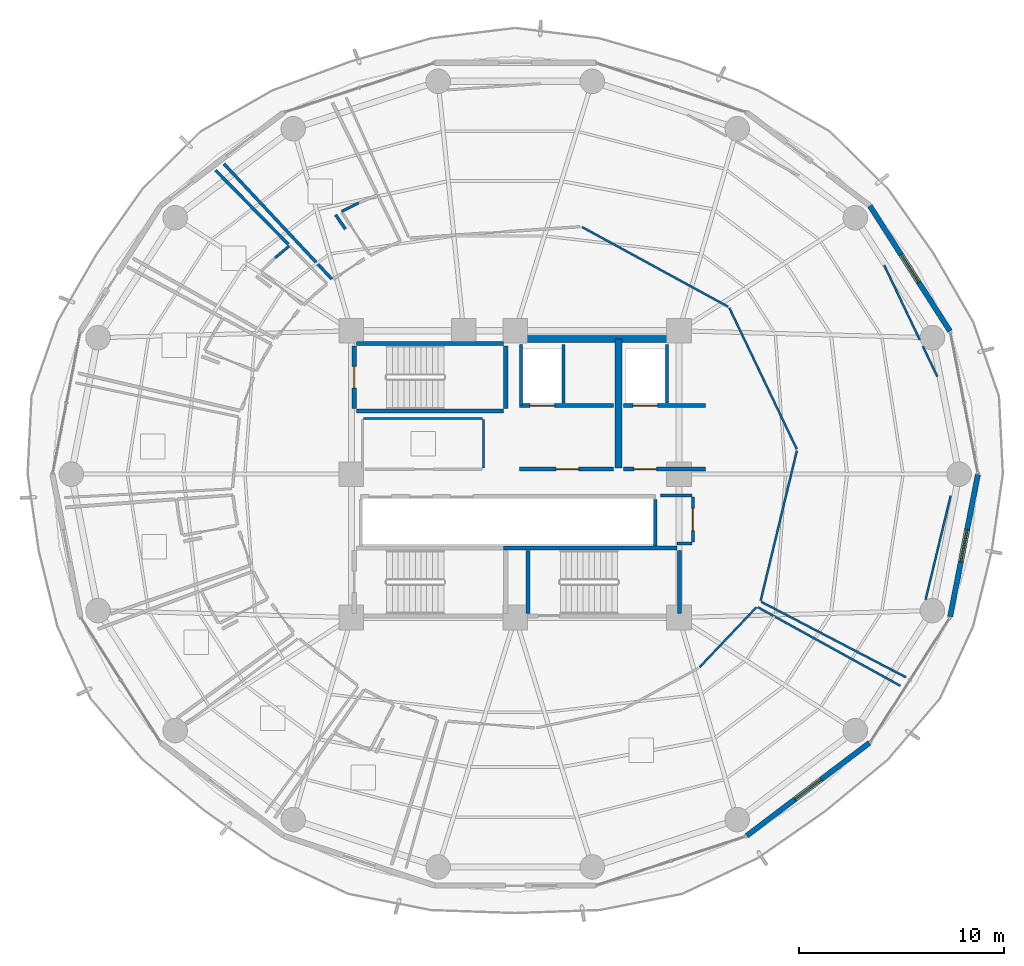
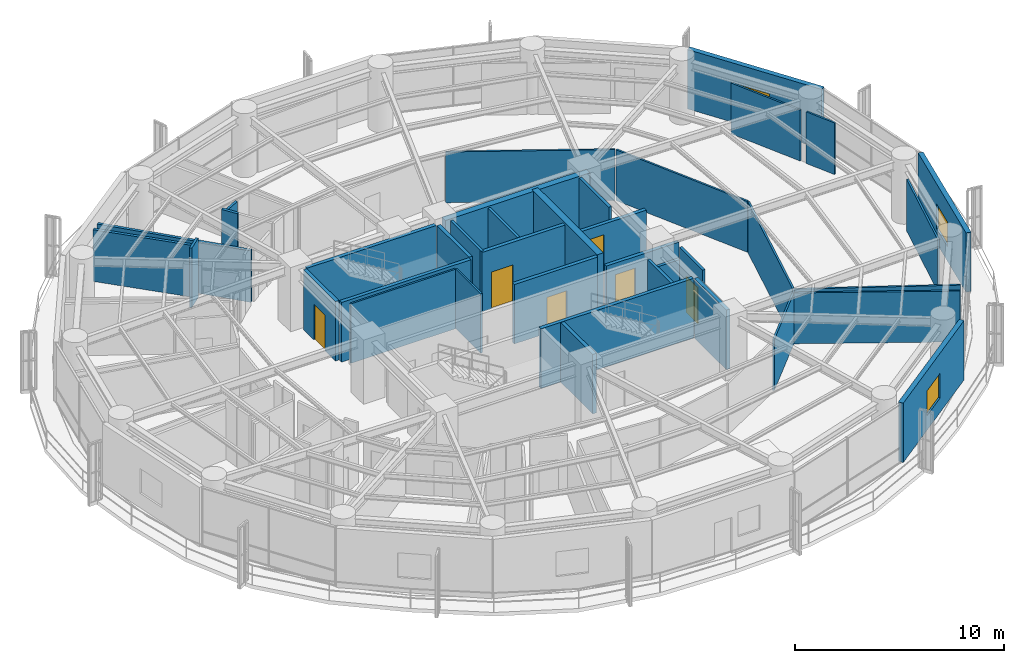
# One storey, part 23 of 27: 39 walls, 6 doors, 3 windows, 9 openings.
"""IFC4 building model written with IfcOpenShell, lengths in metres."""

from ifc_helpers import new_model, si_unit, direction, frame, frame_2d, origin, place, context, subcontext, project, spatial, rectangle, extrude, material, layer, layer_set, type_object, element, fill, save


model = new_model("IFC4")

# Units and contexts
model_context = context("Model", 3, precision=1e-05, world=origin(), true_north=direction((0.0, 1.0)))
body_context = subcontext(model_context, "Body", "Model", "MODEL_VIEW")
ifc_project = project(units=[si_unit("LENGTHUNIT", "METRE"), si_unit("AREAUNIT", "SQUARE_METRE"), si_unit("VOLUMEUNIT", "CUBIC_METRE"), si_unit("PLANEANGLEUNIT", "RADIAN"), si_unit("MASSUNIT", "GRAM", prefix="KILO")], contexts=[model_context])

# Site, building, storey
site_placement = place(None, origin())
site = spatial("IfcSite", under=ifc_project, at=site_placement, CompositionType="ELEMENT")
building_placement = place(site_placement, origin())
building = spatial("IfcBuilding", under=site, at=building_placement, Name="Kelanora Arch Commons", CompositionType="ELEMENT")
storey_placement = place(building_placement, frame((0.0, 0.0, 143.10009765625)))
storey = spatial("IfcBuildingStorey", under=building, at=storey_placement, Name="L36", CompositionType="ELEMENT", Elevation=143.10009765625)

# Walls
ifc_material_1 = material(Name="Autoclaved aerated concrete blockwork with fire plaster", Category="masonry")
ifc_layer_1 = layer(ifc_material_1, 0.14990234375)
ifc_layer_set_1 = layer_set([ifc_layer_1], Name="Autoclaved aerated concrete blockwork with fire plaster")
wall_type_1 = type_object("IfcWallType", Name="W-COMP-150", PredefinedType="PARTITIONING", material=ifc_layer_set_1)
wall_1_placement = place(storey_placement, frame((74.280029296875, 61.35009765625, 0.0), z_axis=(0.0, 0.0, 1.0), x_axis=(0.0, 1.0, 0.0)))
element("IfcWall", 1, at=wall_1_placement, inside=storey, type_object=wall_type_1, Name="Firefighting Lift 1 West Shaft Wall L36", PredefinedType="PARTITIONING", context=body_context, shape_type="SweptSolid", body=[
    extrude(rectangle(XDim=2.969970703125, YDim=0.14990234375, at=frame_2d((1.48486328125, 0.0))), origin(), (0.0, 0.0, 1.0), 3.47998046875),
])
for number, where, z_axis, x_axis, name in (
    (2, (76.360107421875, 61.47998046875, 0.0), (0.0, 0.0, 1.0), (0.0, 1.0, 0.0), "Firefighting Lift 1 East Shaft Wall L36"),
    (3, (81.419921875, 61.47998046875, 0.0), (0.0, 0.0, 1.0), (0.0, 1.0, 0.0), "Firefighting Lift 2 East Shaft Wall L36"),
):
    element("IfcWall", number, at=place(storey_placement, frame(where, z_axis=z_axis, x_axis=x_axis)), inside=storey, type_object=wall_type_1, Name=name, PredefinedType="PARTITIONING", context=body_context, shape_type="SweptSolid", body=[
        extrude(rectangle(XDim=2.840087890625, YDim=0.14990234375, at=frame_2d((1.419921875, 0.0))), origin(), (0.0, 0.0, 1.0), 3.47998046875),
    ])
wall_2_placement = place(storey_placement, frame((80.840087890625, 54.47998046875, 0.0), z_axis=(0.0, 0.0, 1.0), x_axis=(0.0, 1.0, 0.0)))
element("IfcWall", 4, at=wall_2_placement, inside=storey, type_object=wall_type_1, Name="South Lift Bank East Wall L36", PredefinedType="PARTITIONING", context=body_context, shape_type="SweptSolid", body=[
    extrude(rectangle(XDim=2.2900390625, YDim=0.14990234375, at=frame_2d((1.14501953125, 0.0))), origin(), (0.0, 0.0, 1.0), 3.47998046875),
])

# Wall, opening, door
wall_3_placement = place(storey_placement, frame((82.679931640625, 54.679931640625, 0.0), z_axis=(0.0, 0.0, 1.0), x_axis=(0.0, 1.0, 0.0)))
wall_3 = element("IfcWall", 5, at=wall_3_placement, inside=storey, type_object=wall_type_1, Name="Core Housekeeping Store L36 Entry Partition", PredefinedType="PARTITIONING", context=body_context, shape_type="SweptSolid", body=[
    extrude(rectangle(XDim=2.2099609375, YDim=0.14990234375, at=frame_2d((1.10498046875, 0.0))), origin(), (0.0, 0.0, 1.0), 3.47998046875),
])
opening_1_placement = place(wall_3_placement, frame((0.56494140625, 0.0, 0.0)))
opening_1 = element("IfcOpeningElement", 6, at=opening_1_placement, cuts=wall_3, Name="Opening D-PLT1", PredefinedType="OPENING", context=body_context, shape_type="SweptSolid", body=[
    extrude(rectangle(XDim=1.080078125, YDim=2.10009765625, at=frame_2d((0.5400390625, 1.050048828125))), frame((0.0, 0.0849609375, 0.0), z_axis=(0.0, -1.0, 0.0), x_axis=(1.0, 0.0, 0.0)), (0.0, 0.0, 1.0), 0.169921875),
])
ifc_material_2 = material(Name="Galvanised steel plant and riser fire door", Category="steel")
door_type_1 = type_object("IfcDoorType", Name="D-PLT-110", OperationType="NOTDEFINED", PredefinedType="DOOR", material=ifc_material_2)
door_1_placement = place(opening_1_placement, origin())
door_1 = element("IfcDoor", 7, at=door_1_placement, inside=storey, type_object=door_type_1, Name="Core Housekeeping Store L36 Door", OperationType="SINGLE_SWING_RIGHT", OverallHeight=2.10009765625, OverallWidth=1.080078125, PredefinedType="DOOR", context=body_context, shape_type="SweptSolid", body=[
    extrude(rectangle(XDim=1.080078125, YDim=2.10009765625, at=frame_2d((0.5400390625, 1.050048828125))), frame((0.0, 0.02490234375, 0.0), z_axis=(0.0, -1.0, 0.0), x_axis=(1.0, 0.0, 0.0)), (0.0, 0.0, 1.0), 0.050048828125),
])
fill(opening_1, door_1)

# Walls
wall_4_placement = place(storey_placement, frame((81.89990234375, 54.6201171875, 0.0), z_axis=(0.0, 0.0, 1.0), x_axis=(1.0, 0.0, 0.0)))
element("IfcWall", 8, at=wall_4_placement, inside=storey, type_object=wall_type_1, Name="Core Housekeeping Store L36 Enclosure Partition 1", PredefinedType="PARTITIONING", context=body_context, shape_type="SweptSolid", body=[
    extrude(rectangle(XDim=0.739990234375, YDim=0.14990234375, at=frame_2d((0.3701171875, 0.0))), origin(), (0.0, 0.0, 1.0), 2.77490234375),
])
wall_5_placement = place(storey_placement, frame((82.639892578125, 56.949951171875, 0.0), z_axis=(0.0, 0.0, 1.0), x_axis=(-1.0, 0.0, 0.0)))
element("IfcWall", 9, at=wall_5_placement, inside=storey, type_object=wall_type_1, Name="Core Housekeeping Store L36 Enclosure Partition 3", PredefinedType="PARTITIONING", context=body_context, shape_type="SweptSolid", body=[
    extrude(rectangle(XDim=1.5498046875, YDim=0.14990234375, at=frame_2d((0.77490234375, 0.0))), origin(), (0.0, 0.0, 1.0), 2.77490234375),
])
wall_6_placement = place(storey_placement, frame((65.045654296875, 67.523193359375, 0.0), z_axis=(0.0, 0.0, 1.0), x_axis=(-0.683295427563, 0.730142012674, 0.0)))
element("IfcWall", 10, at=wall_6_placement, inside=storey, type_object=wall_type_1, Name="Cluster Bedroom L36-01 Enclosure Partition 2", PredefinedType="PARTITIONING", context=body_context, shape_type="SweptSolid", body=[
    extrude(rectangle(XDim=7.712890625, YDim=0.14990234375, at=frame_2d((3.8564453125, 0.0))), origin(), (0.0, 0.0, 1.0), 3.02490234375),
])
wall_7_placement = place(storey_placement, frame((65.226806640625, 70.6669921875, 0.0), z_axis=(0.0, 0.0, 1.0), x_axis=(0.567880544382, -0.823110981164, 0.0)))
element("IfcWall", 11, at=wall_7_placement, inside=storey, type_object=wall_type_1, Name="Cluster Bedroom L36-01 Enclosure Partition 7", PredefinedType="PARTITIONING", context=body_context, shape_type="SweptSolid", body=[
    extrude(rectangle(XDim=0.850341796875, YDim=0.14990234375, at=frame_2d((0.42529296875, 0.0))), origin(), (0.0, 0.0, 1.0), 3.47998046875),
])
wall_8_placement = place(storey_placement, frame((59.368896484375, 72.83740234375, 0.0), z_axis=(0.0, 0.0, 1.0), x_axis=(0.701093902079, -0.713068959125, 0.0)))
element("IfcWall", 12, at=wall_8_placement, inside=storey, type_object=wall_type_1, Name="Cluster Bedroom L36-02 Enclosure Partition 5", PredefinedType="PARTITIONING", context=body_context, shape_type="SweptSolid", body=[
    extrude(rectangle(XDim=5.076416015625, YDim=0.14990234375, at=frame_2d((2.5380859375, 0.0))), origin(), (0.0, 0.0, 1.0), 3.02490234375),
])
ifc_material_3 = material(Name="Concrete C50/60", Category="concrete")
ifc_layer_2 = layer(ifc_material_3, 0.35009765625)
ifc_layer_set_2 = layer_set([ifc_layer_2], Name="Concrete C50/60")
wall_type_2 = type_object("IfcWallType", Name="W-CORE-350", PredefinedType="SHEAR", material=ifc_layer_set_2)
wall_9_placement = place(storey_placement, frame((74.0, 64.60009765625, 0.0), z_axis=(0.0, 0.0, 1.0), x_axis=(1.0, 0.0, 0.0)))
element("IfcWall", 13, at=wall_9_placement, inside=storey, type_object=wall_type_2, Name="Core Shear Spine L36-CN-E", PredefinedType="SHEAR", context=body_context, shape_type="SweptSolid", body=[
    extrude(rectangle(XDim=8.0, YDim=0.35009765625, at=frame_2d((4.0, 0.0))), origin(), (0.0, 0.0, 1.0), 3.489990234375),
])
wall_10_placement = place(storey_placement, frame((79.050048828125, 58.300048828125, 0.0), z_axis=(0.0, 0.0, 1.0), x_axis=(0.0, 1.0, 0.0)))
element("IfcWall", 14, at=wall_10_placement, inside=storey, type_object=wall_type_2, Name="Core Shear Spine L36-CE-N", PredefinedType="SHEAR", context=body_context, shape_type="SweptSolid", body=[
    extrude(rectangle(XDim=6.300048828125, YDim=0.35009765625, at=frame_2d((3.14990234375, 0.0))), origin(), (0.0, 0.0, 1.0), 3.489990234375),
])

# Wall, opening, window
ifc_material_4 = material(Name="Precast concrete C40/50 with terracotta rainscreen", Category="masonry")
ifc_layer_3 = layer(ifc_material_4, 0.260009765625)
ifc_layer_set_3 = layer_set([ifc_layer_3], Name="Precast concrete C40/50 with terracotta rainscreen")
wall_type_3 = type_object("IfcWallType", Name="W-EXT-TC", PredefinedType="SOLIDWALL", material=ifc_layer_set_3)
wall_11_placement = place(storey_placement, frame((95.22900390625, 64.98974609375, 0.0), z_axis=(0.0, 0.0, 1.0), x_axis=(-0.538801521808, 0.842432739213, 0.0)))
wall_11 = element("IfcWall", 15, at=wall_11_placement, inside=storey, type_object=wall_type_3, Name="Terracotta Exterior Wall L36-B01", PredefinedType="SOLIDWALL", context=body_context, shape_type="SweptSolid", body=[
    extrude(rectangle(XDim=7.25341796875, YDim=0.260009765625, at=frame_2d((3.626708984375, 0.0))), origin(), (0.0, 0.0, 1.0), 3.474853515625),
])
opening_2_placement = place(wall_11_placement, frame((2.826904296875, 0.0, 0.85009765625)))
opening_2 = element("IfcOpeningElement", 16, at=opening_2_placement, cuts=wall_11, Name="Opening WN-01", PredefinedType="OPENING", context=body_context, shape_type="SweptSolid", body=[
    extrude(rectangle(XDim=1.60009765625, YDim=1.449951171875, at=frame_2d((0.800048828125, 0.72509765625))), frame((0.0, 0.14013671875, 0.0), z_axis=(0.0, -1.0, 0.0), x_axis=(1.0, 0.0, 0.0)), (0.0, 0.0, 1.0), 0.280029296875),
])
ifc_material_5 = material(Name="Terracotta-anodised aluminium frame with operable low-E glazing", Category="masonry")
window_type = type_object("IfcWindowType", Name="WIN-CL-18", PartitioningType="DOUBLE_PANEL_VERTICAL", PredefinedType="WINDOW", material=ifc_material_5)
window_1_placement = place(opening_2_placement, origin())
window_1 = element("IfcWindow", 17, at=window_1_placement, inside=storey, type_object=window_type, Name="Co-Living Operable Window L36-B01", OverallHeight=1.449951171875, OverallWidth=1.60009765625, PartitioningType="SINGLE_PANEL", PredefinedType="WINDOW", context=body_context, shape_type="SweptSolid", body=[
    extrude(rectangle(XDim=1.60009765625, YDim=1.449951171875, at=frame_2d((0.800048828125, 0.72509765625))), frame((0.0, 0.030029296875, 0.0), z_axis=(0.0, -1.0, 0.0), x_axis=(1.0, 0.0, 0.0)), (0.0, 0.0, 1.0), 0.06005859375),
])
fill(opening_2, window_1)

wall_12_placement = place(storey_placement, frame((85.31201171875, 40.34228515625, 0.0), z_axis=(0.0, 0.0, 1.0), x_axis=(0.797163719609, 0.603763202042, 0.0)))
wall_12 = element("IfcWall", 18, at=wall_12_placement, inside=storey, type_object=wall_type_3, Name="Terracotta Exterior Wall L36-B15", PredefinedType="SOLIDWALL", context=body_context, shape_type="SweptSolid", body=[
    extrude(rectangle(XDim=7.51220703125, YDim=0.260009765625, at=frame_2d((3.756103515625, 0.0))), origin(), (0.0, 0.0, 1.0), 3.474853515625),
])
opening_3_placement = place(wall_12_placement, frame((2.9560546875, 0.0, 0.85009765625)))
opening_3 = element("IfcOpeningElement", 19, at=opening_3_placement, cuts=wall_12, Name="Opening WN-01", PredefinedType="OPENING", context=body_context, shape_type="SweptSolid", body=[
    extrude(rectangle(XDim=1.60009765625, YDim=1.449951171875, at=frame_2d((0.800048828125, 0.72509765625))), frame((0.0, 0.14013671875, 0.0), z_axis=(0.0, -1.0, 0.0), x_axis=(1.0, 0.0, 0.0)), (0.0, 0.0, 1.0), 0.280029296875),
])
window_2_placement = place(opening_3_placement, origin())
window_2 = element("IfcWindow", 20, at=window_2_placement, inside=storey, type_object=window_type, Name="Co-Living Operable Window L36-B15", OverallHeight=1.449951171875, OverallWidth=1.60009765625, PartitioningType="SINGLE_PANEL", PredefinedType="WINDOW", context=body_context, shape_type="SweptSolid", body=[
    extrude(rectangle(XDim=1.60009765625, YDim=1.449951171875, at=frame_2d((0.800048828125, 0.72509765625))), frame((0.0, 0.030029296875, 0.0), z_axis=(0.0, -1.0, 0.0), x_axis=(1.0, 0.0, 0.0)), (0.0, 0.0, 1.0), 0.06005859375),
])
fill(opening_3, window_2)

wall_13_placement = place(storey_placement, frame((95.239990234375, 51.03759765625, 0.0), z_axis=(0.0, 0.0, 1.0), x_axis=(0.191716984769, 0.981450252306, 0.0)))
wall_13 = element("IfcWall", 21, at=wall_13_placement, inside=storey, type_object=wall_type_3, Name="Terracotta Exterior Wall L36-B17", PredefinedType="SOLIDWALL", context=body_context, shape_type="SweptSolid", body=[
    extrude(rectangle(XDim=7.0791015625, YDim=0.260009765625, at=frame_2d((3.53955078125, 0.0))), origin(), (0.0, 0.0, 1.0), 3.474853515625),
])
opening_4_placement = place(wall_13_placement, frame((2.739990234375, 0.0, 0.85009765625)))
opening_4 = element("IfcOpeningElement", 22, at=opening_4_placement, cuts=wall_13, Name="Opening WN-01", PredefinedType="OPENING", context=body_context, shape_type="SweptSolid", body=[
    extrude(rectangle(XDim=1.60009765625, YDim=1.449951171875, at=frame_2d((0.800048828125, 0.72509765625))), frame((0.0, 0.14013671875, 0.0), z_axis=(0.0, -1.0, 0.0), x_axis=(1.0, 0.0, 0.0)), (0.0, 0.0, 1.0), 0.280029296875),
])
window_3_placement = place(opening_4_placement, origin())
window_3 = element("IfcWindow", 23, at=window_3_placement, inside=storey, type_object=window_type, Name="Co-Living Operable Window L36-B17", OverallHeight=1.449951171875, OverallWidth=1.60009765625, PartitioningType="SINGLE_PANEL", PredefinedType="WINDOW", context=body_context, shape_type="SweptSolid", body=[
    extrude(rectangle(XDim=1.60009765625, YDim=1.449951171875, at=frame_2d((0.800048828125, 0.72509765625))), frame((0.0, 0.030029296875, 0.0), z_axis=(0.0, -1.0, 0.0), x_axis=(1.0, 0.0, 0.0)), (0.0, 0.0, 1.0), 0.06005859375),
])
fill(opening_4, window_3)

# Wall, opening, door
ifc_material_6 = material(Name="Concrete C40/50", Category="concrete")
ifc_layer_4 = layer(ifc_material_6, 0.199951171875)
ifc_layer_set_4 = layer_set([ifc_layer_4], Name="Concrete C40/50")
wall_type_4 = type_object("IfcWallType", Name="W-FFL-200", PredefinedType="SOLIDWALL", material=ifc_layer_set_4)
wall_14_placement = place(storey_placement, frame((74.199951171875, 61.35009765625, 0.0), z_axis=(0.0, 0.0, 1.0), x_axis=(1.0, 0.0, 0.0)))
wall_14 = element("IfcWall", 24, at=wall_14_placement, inside=storey, type_object=wall_type_4, Name="Firefighting Lift 1 Shaft Front L36", PredefinedType="SOLIDWALL", context=body_context, shape_type="SweptSolid", body=[
    extrude(rectangle(XDim=4.60009765625, YDim=0.199951171875, at=frame_2d((2.300048828125, 0.0))), origin(), (0.0, 0.0, 1.0), 3.47998046875),
])
opening_5_placement = place(wall_14_placement, frame((0.52001953125, 0.0, 0.0)))
opening_5 = element("IfcOpeningElement", 25, at=opening_5_placement, cuts=wall_14, Name="Opening LD-FF", PredefinedType="OPENING", context=body_context, shape_type="SweptSolid", body=[
    extrude(rectangle(XDim=1.199951171875, YDim=2.14990234375, at=frame_2d((0.60009765625, 1.074951171875))), frame((0.0, 0.10986328125, 0.0), z_axis=(0.0, -1.0, 0.0), x_axis=(1.0, 0.0, 0.0)), (0.0, 0.0, 1.0), 0.219970703125),
])
ifc_material_7 = material(Name="Fire-rated firefighters lift sliding landing door")
door_type_2 = type_object("IfcDoorType", Name="D-LIFT-FF", OperationType="NOTDEFINED", PredefinedType="DOOR", material=ifc_material_7)
door_2_placement = place(opening_5_placement, origin())
door_2 = element("IfcDoor", 26, at=door_2_placement, inside=storey, type_object=door_type_2, Name="Firefighting Lift LF-FF1 Landing Door L36", OperationType="DOUBLE_DOOR_SLIDING", OverallHeight=2.14990234375, OverallWidth=1.199951171875, PredefinedType="DOOR", context=body_context, shape_type="SweptSolid", body=[
    extrude(rectangle(XDim=1.199951171875, YDim=2.14990234375, at=frame_2d((0.60009765625, 1.074951171875))), frame((0.0, 0.02490234375, 0.0), z_axis=(0.0, -1.0, 0.0), x_axis=(1.0, 0.0, 0.0)), (0.0, 0.0, 1.0), 0.050048828125),
])
fill(opening_5, door_2)

wall_15_placement = place(storey_placement, frame((79.300048828125, 61.35009765625, 0.0), z_axis=(0.0, 0.0, 1.0), x_axis=(1.0, 0.0, 0.0)))
wall_15 = element("IfcWall", 27, at=wall_15_placement, inside=storey, type_object=wall_type_4, Name="Firefighting Lift 2 Shaft Front L36", PredefinedType="SOLIDWALL", context=body_context, shape_type="SweptSolid", body=[
    extrude(rectangle(XDim=4.0, YDim=0.199951171875, at=frame_2d((2.0, 0.0))), origin(), (0.0, 0.0, 1.0), 2.77490234375),
])
opening_6_placement = place(wall_15_placement, frame((0.449951171875, 0.0, 0.0)))
opening_6 = element("IfcOpeningElement", 28, at=opening_6_placement, cuts=wall_15, Name="Opening LD-FF", PredefinedType="OPENING", context=body_context, shape_type="SweptSolid", body=[
    extrude(rectangle(XDim=1.199951171875, YDim=2.14990234375, at=frame_2d((0.60009765625, 1.074951171875))), frame((0.0, 0.10986328125, 0.0), z_axis=(0.0, -1.0, 0.0), x_axis=(1.0, 0.0, 0.0)), (0.0, 0.0, 1.0), 0.219970703125),
])
door_3_placement = place(opening_6_placement, origin())
door_3 = element("IfcDoor", 29, at=door_3_placement, inside=storey, type_object=door_type_2, Name="Firefighting Lift LF-FF2 Landing Door L36", OperationType="DOUBLE_DOOR_SLIDING", OverallHeight=2.14990234375, OverallWidth=1.199951171875, PredefinedType="DOOR", context=body_context, shape_type="SweptSolid", body=[
    extrude(rectangle(XDim=1.199951171875, YDim=2.14990234375, at=frame_2d((0.60009765625, 1.074951171875))), frame((0.0, 0.02490234375, 0.0), z_axis=(0.0, -1.0, 0.0), x_axis=(1.0, 0.0, 0.0)), (0.0, 0.0, 1.0), 0.050048828125),
])
fill(opening_6, door_3)

wall_16_placement = place(storey_placement, frame((74.199951171875, 58.25, 0.0), z_axis=(0.0, 0.0, 1.0), x_axis=(1.0, 0.0, 0.0)))
wall_16 = element("IfcWall", 30, at=wall_16_placement, inside=storey, type_object=wall_type_4, Name="Firefighting Lobby 1 Enclosure Wall L36", PredefinedType="SOLIDWALL", context=body_context, shape_type="SweptSolid", body=[
    extrude(rectangle(XDim=4.60009765625, YDim=0.199951171875, at=frame_2d((2.300048828125, 0.0))), origin(), (0.0, 0.0, 1.0), 3.47998046875),
])
opening_7_placement = place(wall_16_placement, frame((1.800048828125, 0.0, 0.0)))
opening_7 = element("IfcOpeningElement", 31, at=opening_7_placement, cuts=wall_16, Name="Opening D-FFL1", PredefinedType="OPENING", context=body_context, shape_type="SweptSolid", body=[
    extrude(rectangle(XDim=1.10009765625, YDim=2.10009765625, at=frame_2d((0.550048828125, 1.050048828125))), frame((0.0, 0.10986328125, 0.0), z_axis=(0.0, -1.0, 0.0), x_axis=(1.0, 0.0, 0.0)), (0.0, 0.0, 1.0), 0.219970703125),
])
ifc_material_8 = material(Name="Smoke-sealed firefighting lobby fire door")
door_type_3 = type_object("IfcDoorType", Name="D-FFL-110", OperationType="NOTDEFINED", PredefinedType="DOOR", material=ifc_material_8)
door_4_placement = place(opening_7_placement, frame((1.10009765625, 0.0, 0.0), z_axis=(0.0, 0.0, 1.0), x_axis=(-1.0, 0.0, 0.0)))
door_4 = element("IfcDoor", 32, at=door_4_placement, inside=storey, type_object=door_type_3, Name="Firefighting Lobby 1 Door L36", OperationType="SINGLE_SWING_LEFT", OverallHeight=2.10009765625, OverallWidth=1.10009765625, PredefinedType="DOOR", context=body_context, shape_type="SweptSolid", body=[
    extrude(rectangle(XDim=1.10009765625, YDim=2.10009765625, at=frame_2d((0.550048828125, 1.050048828125))), frame((0.0, 0.02490234375, 0.0), z_axis=(0.0, -1.0, 0.0), x_axis=(1.0, 0.0, 0.0)), (0.0, 0.0, 1.0), 0.050048828125),
])
fill(opening_7, door_4)

wall_17_placement = place(storey_placement, frame((79.300048828125, 58.25, 0.0), z_axis=(0.0, 0.0, 1.0), x_axis=(1.0, 0.0, 0.0)))
wall_17 = element("IfcWall", 33, at=wall_17_placement, inside=storey, type_object=wall_type_4, Name="Firefighting Lobby 2 Enclosure Wall L36", PredefinedType="SOLIDWALL", context=body_context, shape_type="SweptSolid", body=[
    extrude(rectangle(XDim=4.0, YDim=0.199951171875, at=frame_2d((2.0, 0.0))), origin(), (0.0, 0.0, 1.0), 2.77490234375),
])
opening_8_placement = place(wall_17_placement, frame((0.5, 0.0, 0.0)))
opening_8 = element("IfcOpeningElement", 34, at=opening_8_placement, cuts=wall_17, Name="Opening D-FFL1", PredefinedType="OPENING", context=body_context, shape_type="SweptSolid", body=[
    extrude(rectangle(XDim=1.10009765625, YDim=2.10009765625, at=frame_2d((0.550048828125, 1.050048828125))), frame((0.0, 0.10986328125, 0.0), z_axis=(0.0, -1.0, 0.0), x_axis=(1.0, 0.0, 0.0)), (0.0, 0.0, 1.0), 0.219970703125),
])
door_5_placement = place(opening_8_placement, frame((1.10009765625, 0.0, 0.0), z_axis=(0.0, 0.0, 1.0), x_axis=(-1.0, 0.0, 0.0)))
door_5 = element("IfcDoor", 35, at=door_5_placement, inside=storey, type_object=door_type_3, Name="Firefighting Lobby 2 Door L36", OperationType="SINGLE_SWING_RIGHT", OverallHeight=2.10009765625, OverallWidth=1.10009765625, PredefinedType="DOOR", context=body_context, shape_type="SweptSolid", body=[
    extrude(rectangle(XDim=1.10009765625, YDim=2.10009765625, at=frame_2d((0.550048828125, 1.050048828125))), frame((0.0, 0.02490234375, 0.0), z_axis=(0.0, -1.0, 0.0), x_axis=(1.0, 0.0, 0.0)), (0.0, 0.0, 1.0), 0.050048828125),
])
fill(opening_8, door_5)

# Walls
ifc_material_9 = material(Name="Lightweight fire-rated acoustic stud partition")
ifc_layer_5 = layer(ifc_material_9, 0.10009765625)
ifc_layer_set_5 = layer_set([ifc_layer_5], Name="Lightweight fire-rated acoustic stud partition")
wall_type_5 = type_object("IfcWallType", Name="W-PART-100", PredefinedType="PARTITIONING", material=ifc_layer_set_5)
wall_18_placement = place(storey_placement, frame((72.449951171875, 58.2900390625, 0.0), z_axis=(0.0, 0.0, 1.0), x_axis=(0.0, 1.0, 0.0)))
element("IfcWall", 36, at=wall_18_placement, inside=storey, type_object=wall_type_5, Name="Reclaimed Core Study Pod Lounge L36 Enclosure Partition 2", PredefinedType="PARTITIONING", context=body_context, shape_type="SweptSolid", body=[
    extrude(rectangle(XDim=2.389892578125, YDim=0.10009765625, at=frame_2d((1.19482421875, 0.0))), origin(), (0.0, 0.0, 1.0), 3.47998046875),
])
wall_19_placement = place(storey_placement, frame((72.409912109375, 60.719970703125, 0.0), z_axis=(0.0, 0.0, 1.0), x_axis=(-1.0, 0.0, 0.0)))
element("IfcWall", 37, at=wall_19_placement, inside=storey, type_object=wall_type_5, Name="Reclaimed Core Study Pod Lounge L36 Enclosure Partition 3", PredefinedType="PARTITIONING", context=body_context, shape_type="SweptSolid", body=[
    extrude(rectangle(XDim=5.81982421875, YDim=0.10009765625, at=frame_2d((2.909912109375, 0.0))), origin(), (0.0, 0.0, 1.0), 3.47998046875),
])
wall_20_placement = place(storey_placement, frame((83.00048828125, 48.570068359375, 0.0), z_axis=(0.0, 0.0, 1.0), x_axis=(0.688528308603, 0.725209465088, 0.0)))
element("IfcWall", 38, at=wall_20_placement, inside=storey, type_object=wall_type_5, Name="South-East Social Sky Lounge L36 Enclosure Partition 4", PredefinedType="PARTITIONING", context=body_context, shape_type="SweptSolid", body=[
    extrude(rectangle(XDim=4.033447265625, YDim=0.10009765625, at=frame_2d((2.0166015625, 0.0))), origin(), (0.0, 0.0, 1.0), 2.974853515625),
])
wall_21_placement = place(storey_placement, frame((85.840087890625, 51.504638671875, 0.0), z_axis=(0.0, 0.0, 1.0), x_axis=(0.875725262543, -0.482809760199, 0.0)))
element("IfcWall", 39, at=wall_21_placement, inside=storey, type_object=wall_type_5, Name="South-East Social Sky Lounge L36 Enclosure Partition 5", PredefinedType="PARTITIONING", context=body_context, shape_type="SweptSolid", body=[
    extrude(rectangle(XDim=7.960205078125, YDim=0.10009765625, at=frame_2d((3.97998046875, 0.0))), origin(), (0.0, 0.0, 1.0), 2.974853515625),
])
wall_22_placement = place(storey_placement, frame((85.986328125, 51.823974609375, 0.0), z_axis=(0.0, 0.0, 1.0), x_axis=(0.234816749424, 0.972039656696, 0.0)))
element("IfcWall", 40, at=wall_22_placement, inside=storey, type_object=wall_type_5, Name="North-East Quiet Study Commons L36 Enclosure Partition 1", PredefinedType="PARTITIONING", context=body_context, shape_type="SweptSolid", body=[
    extrude(rectangle(XDim=7.538818359375, YDim=0.10009765625, at=frame_2d((3.76953125, 0.0))), origin(), (0.0, 0.0, 1.0), 2.974853515625),
])
wall_23_placement = place(storey_placement, frame((87.748779296875, 59.22705078125, 0.0), z_axis=(0.0, 0.0, 1.0), x_axis=(-0.431199882011, 0.902256427937, 0.0)))
element("IfcWall", 41, at=wall_23_placement, inside=storey, type_object=wall_type_5, Name="North-East Quiet Study Commons L36 Enclosure Partition 2", PredefinedType="PARTITIONING", context=body_context, shape_type="SweptSolid", body=[
    extrude(rectangle(XDim=7.638427734375, YDim=0.10009765625, at=frame_2d((3.8193359375, 0.0))), origin(), (0.0, 0.0, 1.0), 2.974853515625),
])
wall_24_placement = place(storey_placement, frame((84.40283203125, 66.17431640625, 0.0), z_axis=(0.0, 0.0, 1.0), x_axis=(-0.877909341639, 0.478826887156, 0.0)))
element("IfcWall", 42, at=wall_24_placement, inside=storey, type_object=wall_type_5, Name="North-East Quiet Study Commons L36 Enclosure Partition 3", PredefinedType="PARTITIONING", context=body_context, shape_type="SweptSolid", body=[
    extrude(rectangle(XDim=8.13134765625, YDim=0.10009765625, at=frame_2d((4.065673828125, 0.0))), origin(), (0.0, 0.0, 1.0), 2.974853515625),
])
wall_25_placement = place(storey_placement, frame((92.019287109375, 68.201416015625, 0.0), z_axis=(0.0, 0.0, 1.0), x_axis=(0.430690351596, -0.90249976235, 0.0)))
element("IfcWall", 43, at=wall_25_placement, inside=storey, type_object=wall_type_5, Name="North-East Quiet Study Commons L36 Enclosure Partition 8", PredefinedType="PARTITIONING", context=body_context, shape_type="SweptSolid", body=[
    extrude(rectangle(XDim=4.031494140625, YDim=0.10009765625, at=frame_2d((2.015625, 0.0))), origin(), (0.0, 0.0, 1.0), 2.974853515625),
])
wall_26_placement = place(storey_placement, frame((93.90673828125, 64.24560546875, 0.0), z_axis=(0.0, 0.0, 1.0), x_axis=(0.430638623677, -0.902524446094, 0.0)))
element("IfcWall", 44, at=wall_26_placement, inside=storey, type_object=wall_type_5, Name="North-East Quiet Study Commons L36 Enclosure Partition 8", PredefinedType="PARTITIONING", context=body_context, shape_type="SweptSolid", body=[
    extrude(rectangle(XDim=1.6396484375, YDim=0.10009765625, at=frame_2d((0.81982421875, 0.0))), origin(), (0.0, 0.0, 1.0), 3.02490234375),
])
wall_27_placement = place(storey_placement, frame((95.264404296875, 56.94482421875, 0.0), z_axis=(0.0, 0.0, 1.0), x_axis=(-0.234422763118, -0.97213474793, 0.0)))
element("IfcWall", 45, at=wall_27_placement, inside=storey, type_object=wall_type_5, Name="North-East Quiet Study Commons L36 Enclosure Partition 9", PredefinedType="PARTITIONING", context=body_context, shape_type="SweptSolid", body=[
    extrude(rectangle(XDim=5.223876953125, YDim=0.10009765625, at=frame_2d((2.61181640625, 0.0))), origin(), (0.0, 0.0, 1.0), 3.02490234375),
])
wall_28_placement = place(storey_placement, frame((93.08642578125, 48.07861328125, 0.0), z_axis=(0.0, 0.0, 1.0), x_axis=(-0.886727770337, 0.462291965443, 0.0)))
element("IfcWall", 46, at=wall_28_placement, inside=storey, type_object=wall_type_5, Name="North-East Quiet Study Commons L36 Enclosure Partition 10", PredefinedType="PARTITIONING", context=body_context, shape_type="SweptSolid", body=[
    extrude(rectangle(XDim=7.9775390625, YDim=0.10009765625, at=frame_2d((3.98876953125, 0.0))), origin(), (0.0, 0.0, 1.0), 2.974853515625),
])
ifc_layer_6 = layer(ifc_material_6, 0.199951171875)
ifc_layer_set_6 = layer_set([ifc_layer_6], Name="Concrete C40/50")
wall_type_6 = type_object("IfcWallType", Name="W-STAIR-200", PredefinedType="SHEAR", material=ifc_layer_set_6)
wall_29_placement = place(storey_placement, frame((66.260009765625, 61.080078125, 0.0), z_axis=(0.0, 0.0, 1.0), x_axis=(1.0, 0.0, 0.0)))
element("IfcWall", 47, at=wall_29_placement, inside=storey, type_object=wall_type_6, Name="Stair ST-T1 Shaft Wall S L36", PredefinedType="SHEAR", context=body_context, shape_type="SweptSolid", body=[
    extrude(rectangle(XDim=7.159912109375, YDim=0.199951171875, at=frame_2d((3.580078125, 0.0))), origin(), (0.0, 0.0, 1.0), 3.489990234375),
])
wall_30_placement = place(storey_placement, frame((73.5400390625, 61.199951171875, 0.0), z_axis=(0.0, 0.0, 1.0), x_axis=(0.0, 1.0, 0.0)))
element("IfcWall", 48, at=wall_30_placement, inside=storey, type_object=wall_type_6, Name="Stair ST-T1 Shaft Wall E L36", PredefinedType="SHEAR", context=body_context, shape_type="SweptSolid", body=[
    extrude(rectangle(XDim=3.070068359375, YDim=0.199951171875, at=frame_2d((1.53515625, 0.0))), origin(), (0.0, 0.0, 1.0), 3.489990234375),
])
wall_31_placement = place(storey_placement, frame((73.419921875, 64.389892578125, 0.0), z_axis=(0.0, 0.0, 1.0), x_axis=(-1.0, 0.0, 0.0)))
element("IfcWall", 49, at=wall_31_placement, inside=storey, type_object=wall_type_6, Name="Stair ST-T1 Shaft Wall N L36", PredefinedType="SHEAR", context=body_context, shape_type="SweptSolid", body=[
    extrude(rectangle(XDim=7.159912109375, YDim=0.199951171875, at=frame_2d((3.580078125, 0.0))), origin(), (0.0, 0.0, 1.0), 3.489990234375),
])

# Wall, opening, door
wall_32_placement = place(storey_placement, frame((66.139892578125, 64.27001953125, 0.0), z_axis=(0.0, 0.0, 1.0), x_axis=(0.0, -1.0, 0.0)))
wall_32 = element("IfcWall", 50, at=wall_32_placement, inside=storey, type_object=wall_type_6, Name="Stair ST-T1 Shaft Wall W L36", PredefinedType="SHEAR", context=body_context, shape_type="SweptSolid", body=[
    extrude(rectangle(XDim=3.070068359375, YDim=0.199951171875, at=frame_2d((1.53515625, 0.0))), origin(), (0.0, 0.0, 1.0), 3.489990234375),
])
opening_9_placement = place(wall_32_placement, frame((1.010009765625, 0.0, 0.0)))
opening_9 = element("IfcOpeningElement", 51, at=opening_9_placement, cuts=wall_32, Name="Opening D-ST1", PredefinedType="OPENING", context=body_context, shape_type="SweptSolid", body=[
    extrude(rectangle(XDim=1.050048828125, YDim=2.10009765625, at=frame_2d((0.52490234375, 1.050048828125))), frame((0.0, 0.10986328125, 0.0), z_axis=(0.0, -1.0, 0.0), x_axis=(1.0, 0.0, 0.0)), (0.0, 0.0, 1.0), 0.219970703125),
])
ifc_material_10 = material(Name="Steel fire-rated stairwell escape door", Category="steel")
door_type_4 = type_object("IfcDoorType", Name="D-STAIR-110", OperationType="NOTDEFINED", PredefinedType="DOOR", material=ifc_material_10)
door_6_placement = place(opening_9_placement, origin())
door_6 = element("IfcDoor", 52, at=door_6_placement, inside=storey, type_object=door_type_4, Name="Stair ST-T1 Escape Door L36", OperationType="SINGLE_SWING_LEFT", OverallHeight=2.10009765625, OverallWidth=1.050048828125, PredefinedType="DOOR", context=body_context, shape_type="SweptSolid", body=[
    extrude(rectangle(XDim=1.050048828125, YDim=2.10009765625, at=frame_2d((0.52490234375, 1.050048828125))), frame((0.0, 0.02490234375, 0.0), z_axis=(0.0, -1.0, 0.0), x_axis=(1.0, 0.0, 0.0)), (0.0, 0.0, 1.0), 0.050048828125),
])
fill(opening_9, door_6)

# Walls
wall_33_placement = place(storey_placement, frame((82.02001953125, 51.199951171875, 0.0), z_axis=(0.0, 0.0, 1.0), x_axis=(0.0, 1.0, 0.0)))
element("IfcWall", 53, at=wall_33_placement, inside=storey, type_object=wall_type_6, Name="Stair ST-T2 Shaft Wall E L36", PredefinedType="SHEAR", context=body_context, shape_type="SweptSolid", body=[
    extrude(rectangle(XDim=3.070068359375, YDim=0.199951171875, at=frame_2d((1.53515625, 0.0))), origin(), (0.0, 0.0, 1.0), 3.489990234375),
])
wall_34_placement = place(storey_placement, frame((81.89990234375, 54.389892578125, 0.0), z_axis=(0.0, 0.0, 1.0), x_axis=(-1.0, 0.0, 0.0)))
element("IfcWall", 54, at=wall_34_placement, inside=storey, type_object=wall_type_6, Name="Stair ST-T2 Shaft Wall N L36", PredefinedType="SHEAR", context=body_context, shape_type="SweptSolid", body=[
    extrude(rectangle(XDim=8.4599609375, YDim=0.199951171875, at=frame_2d((4.22998046875, 0.0))), origin(), (0.0, 0.0, 1.0), 3.489990234375),
])
wall_35_placement = place(storey_placement, frame((74.6201171875, 54.27001953125, 0.0), z_axis=(0.0, 0.0, 1.0), x_axis=(0.0, -1.0, 0.0)))
element("IfcWall", 55, at=wall_35_placement, inside=storey, type_object=wall_type_6, Name="Stair ST-T2 Shaft Wall W L36", PredefinedType="SHEAR", context=body_context, shape_type="SweptSolid", body=[
    extrude(rectangle(XDim=3.070068359375, YDim=0.199951171875, at=frame_2d((1.53515625, 0.0))), origin(), (0.0, 0.0, 1.0), 3.489990234375),
])
ifc_material_11 = material(Name="Moisture-resistant fire-rated cement-board plumbing wall")
ifc_layer_7 = layer(ifc_material_11, 0.1298828125)
ifc_layer_set_7 = layer_set([ifc_layer_7], Name="Moisture-resistant fire-rated cement-board plumbing wall")
wall_type_7 = type_object("IfcWallType", Name="W-WET-120", PredefinedType="PLUMBINGWALL", material=ifc_layer_set_7)
wall_36_placement = place(storey_placement, frame((65.52783203125, 70.8310546875, 0.0), z_axis=(0.0, 0.0, 1.0), x_axis=(0.894269924497, 0.447527990343, 0.0)))
element("IfcWall", 56, at=wall_36_placement, inside=storey, type_object=wall_type_7, Name="En-Suite Shower WC L36-01 Enclosure Partition 4", PredefinedType="PLUMBINGWALL", context=body_context, shape_type="SweptSolid", body=[
    extrude(rectangle(XDim=0.931884765625, YDim=0.1298828125, at=frame_2d((0.4658203125, 0.0))), origin(), (0.0, 0.0, 1.0), 3.1748046875),
])
wall_37_placement = place(storey_placement, frame((62.273193359375, 68.558837890625, 0.0), z_axis=(0.0, 0.0, 1.0), x_axis=(0.763243602663, 0.646110828724, 0.0)))
element("IfcWall", 57, at=wall_37_placement, inside=storey, type_object=wall_type_7, Name="En-Suite Shower WC L36-02 Enclosure Partition 5", PredefinedType="PLUMBINGWALL", context=body_context, shape_type="SweptSolid", body=[
    extrude(rectangle(XDim=0.90869140625, YDim=0.1298828125, at=frame_2d((0.454345703125, 0.0))), origin(), (0.0, 0.0, 1.0), 3.47998046875),
])

save(model, "model.ifc")
